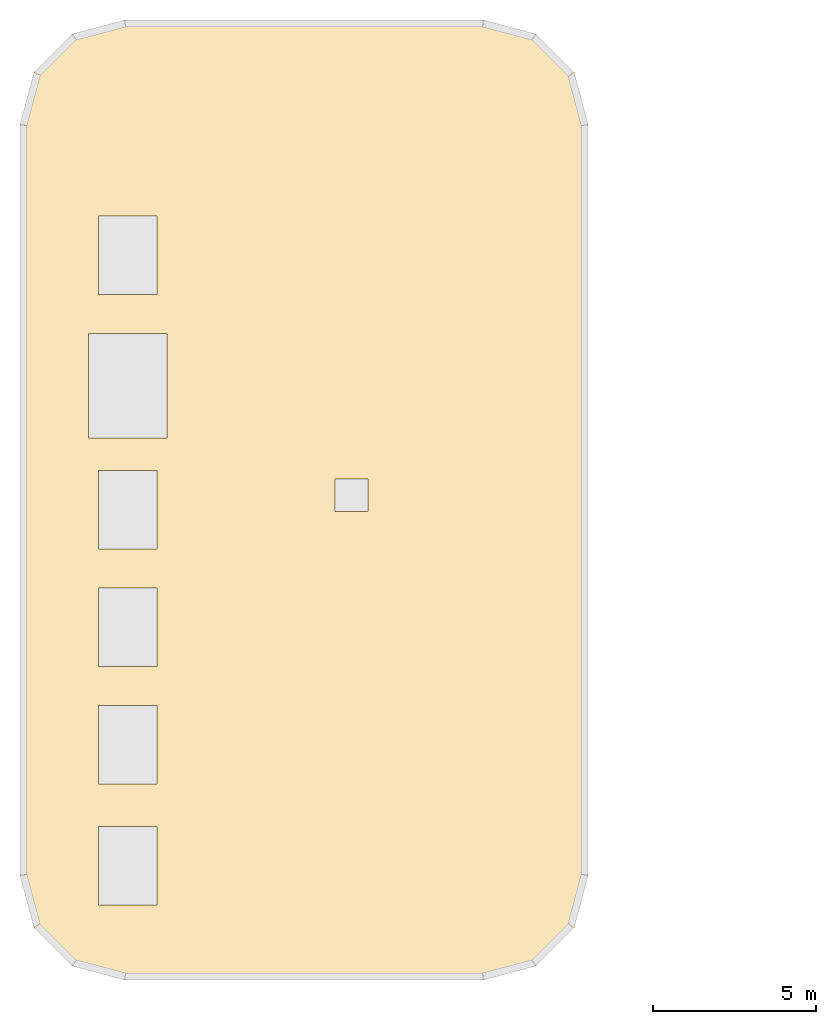
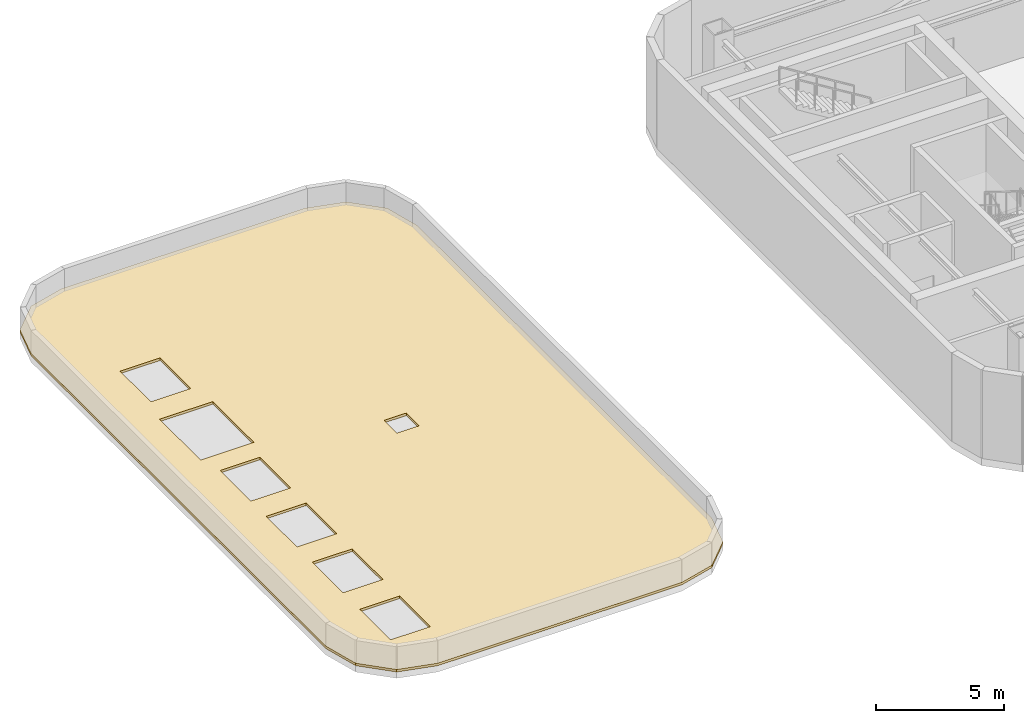
# One storey, part 5 of 6: 1 covering.
"""IFC4 building model written with IfcOpenShell, lengths in metres."""

from ifc_helpers import new_model, si_unit, direction, frame, origin, place, context, subcontext, project, spatial, polyline, outline, extrude, material, layer, layer_set, type_object, element, save


model = new_model("IFC4")

# Units and contexts
model_context = context("Model", 3, precision=1e-05, world=origin(), true_north=direction((0.0, 1.0)))
body_context = subcontext(model_context, "Body", "Model", "MODEL_VIEW")
ifc_project = project(units=[si_unit("LENGTHUNIT", "METRE"), si_unit("AREAUNIT", "SQUARE_METRE"), si_unit("VOLUMEUNIT", "CUBIC_METRE"), si_unit("PLANEANGLEUNIT", "RADIAN"), si_unit("MASSUNIT", "GRAM", prefix="KILO")], contexts=[model_context])

# Site, building, storey
site_placement = place(None, origin())
site = spatial("IfcSite", under=ifc_project, at=site_placement, CompositionType="ELEMENT")
building_placement = place(site_placement, origin())
building = spatial("IfcBuilding", under=site, at=building_placement, Name="Kiyonajd Concourse Tower", CompositionType="ELEMENT")
storey_placement = place(building_placement, frame((0.0, 0.0, 368.39990234375)))
storey = spatial("IfcBuildingStorey", under=building, at=storey_placement, Name="L92", CompositionType="ELEMENT", Elevation=368.39990234375)

# Covering
ifc_material = material(Name="Engineered Hinoki Wood-Effect Architectural Tile", Category="wood")
ifc_layer = layer(ifc_material, 0.1201171875)
ifc_layer_set = layer_set([ifc_layer], Name="Engineered Hinoki Wood-Effect Architectural Tile")
covering_type = type_object("IfcCoveringType", Name="CV-ROOF-MEMB", PredefinedType="ROOFING", material=ifc_layer_set)
covering_placement = place(storey_placement, origin())
element("IfcCovering", 1, at=covering_placement, inside=storey, type_object=covering_type, Name="L92 Insulated Roof Membrane Covering", PredefinedType="ROOFING", context=body_context, shape_type="SweptSolid", body=[
    extrude(outline(polyline([(25.199951171875, 24.199951171875), (25.62890625, 22.60009765625), (26.800048828125, 21.428955078125), (28.39990234375, 21.0), (39.39990234375, 21.0), (41.0, 21.428955078125), (42.1708984375, 22.60009765625), (42.60009765625, 24.199951171875), (42.60009765625, 47.199951171875), (42.1708984375, 48.800048828125), (41.0, 49.970947265625), (39.39990234375, 50.39990234375), (28.39990234375, 50.39990234375), (26.800048828125, 49.970947265625), (25.62890625, 48.800048828125), (25.199951171875, 47.199951171875), (25.199951171875, 24.199951171875)]), holes=[polyline([(34.85009765625, 35.35009765625), (35.85009765625, 35.35009765625), (35.85009765625, 36.35009765625), (34.85009765625, 36.35009765625), (34.85009765625, 35.35009765625)]), polyline([(27.60009765625, 23.300048828125), (29.39990234375, 23.300048828125), (29.39990234375, 25.699951171875), (27.60009765625, 25.699951171875), (27.60009765625, 23.300048828125)]), polyline([(27.60009765625, 27.0), (29.39990234375, 27.0), (29.39990234375, 29.39990234375), (27.60009765625, 29.39990234375), (27.60009765625, 27.0)]), polyline([(27.60009765625, 30.60009765625), (29.39990234375, 30.60009765625), (29.39990234375, 33.0), (27.60009765625, 33.0), (27.60009765625, 30.60009765625)]), polyline([(27.60009765625, 34.199951171875), (29.39990234375, 34.199951171875), (29.39990234375, 36.60009765625), (27.60009765625, 36.60009765625), (27.60009765625, 34.199951171875)]), polyline([(27.300048828125, 37.60009765625), (29.699951171875, 37.60009765625), (29.699951171875, 40.800048828125), (27.300048828125, 40.800048828125), (27.300048828125, 37.60009765625)]), polyline([(27.60009765625, 42.0), (29.39990234375, 42.0), (29.39990234375, 44.39990234375), (27.60009765625, 44.39990234375), (27.60009765625, 42.0)])]), origin(), (0.0, 0.0, 1.0), 0.1201171875),
])

save(model, "model.ifc")
